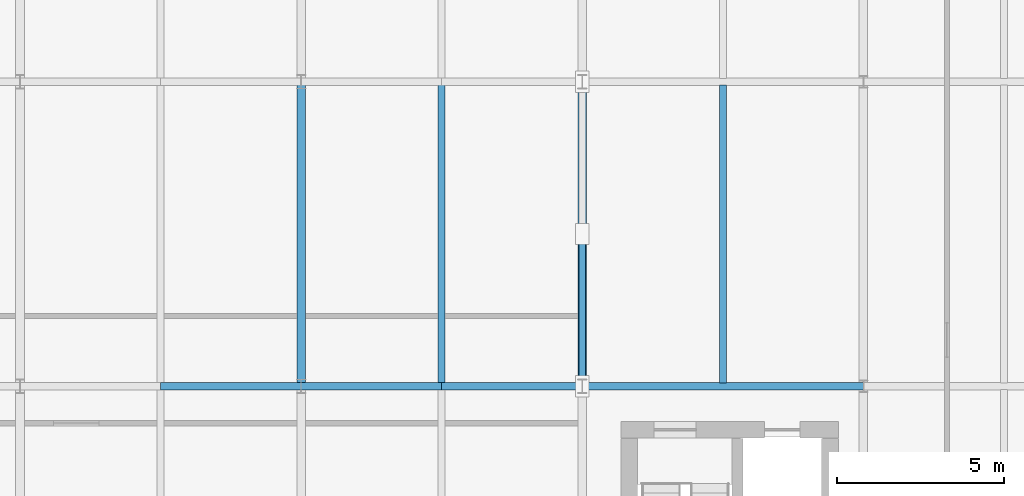
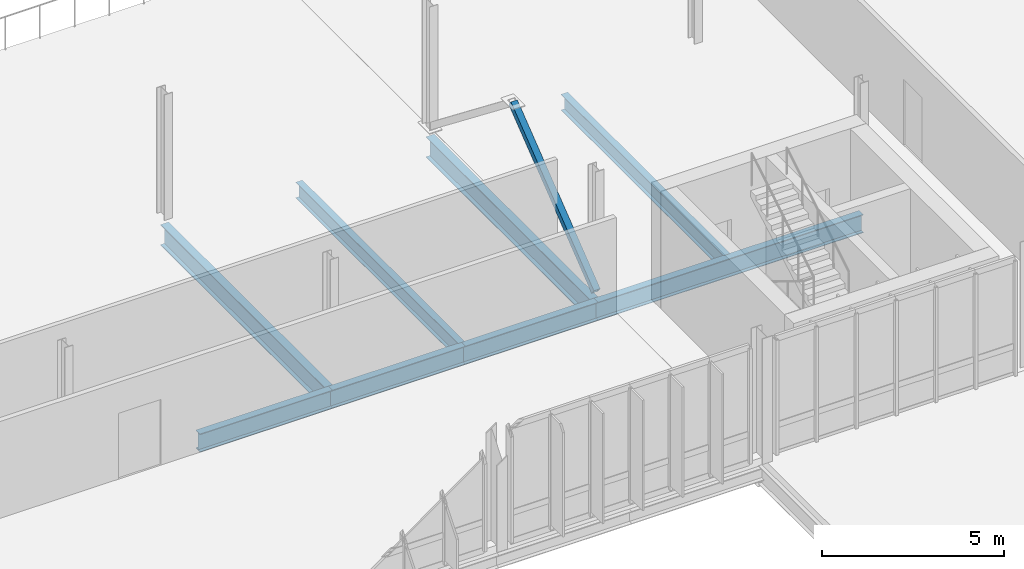
# One storey, part 62 of 107: 8 beams, 1 member.
"""IFC4 building model written with IfcOpenShell, lengths in metres."""

from ifc_helpers import new_model, si_unit, derived_unit, direction, frame, origin, origin_2d, place, context, subcontext, project, spatial, hollow_rectangle, i_section, extrude, material, material_profile, profile_set, type_object, element, save


model = new_model("IFC4")

# Units and contexts
model_context = context("Model", 3, precision=1e-05, world=origin(), true_north=direction((0.0, 1.0)))
body_context = subcontext(model_context, "Body", "Model", "MODEL_VIEW")
ifc_project = project(units=[si_unit("LENGTHUNIT", "METRE"), si_unit("AREAUNIT", "SQUARE_METRE"), si_unit("VOLUMEUNIT", "CUBIC_METRE"), si_unit("PLANEANGLEUNIT", "RADIAN"), si_unit("MASSUNIT", "GRAM", prefix="KILO"), derived_unit("THERMALTRANSMITTANCEUNIT", [(si_unit("MASSUNIT", "GRAM", prefix="KILO"), 1), (si_unit("TIMEUNIT", "SECOND"), -3), (si_unit("THERMODYNAMICTEMPERATUREUNIT", "KELVIN"), -1)])], contexts=[model_context])

# Site, building, storey
site_placement = place(None, origin())
site = spatial("IfcSite", under=ifc_project, at=site_placement, CompositionType="ELEMENT")
building_placement = place(site_placement, origin())
building = spatial("IfcBuilding", under=site, at=building_placement, Name="Makaiwela Harbour Ferry Terminal", CompositionType="ELEMENT")
storey_placement = place(building_placement, frame((0.0, 0.0, 9.60009765625)))
storey = spatial("IfcBuildingStorey", under=building, at=storey_placement, Name="L02", CompositionType="ELEMENT", Elevation=9.60009765625)

# Beams
ifc_material_1 = material(Name="Steel ASTM A992 Grade 50", Category="steel")
ifc_material_profile_1 = material_profile(ifc_material_1, i_section(OverallWidth=0.2099609375, OverallDepth=0.537109375, WebThickness=0.010986328125, FlangeThickness=0.017333984375, at=origin_2d()), Name="W21X68")
ifc_profile_set_1 = profile_set([ifc_material_profile_1], Name="Steel ASTM A992 Grade 50")
beam_type_1 = type_object("IfcBeamType", Name="STR-BM-W21X68", PredefinedType="BEAM", material=ifc_profile_set_1)
for number, where, z_axis, x_axis, name in (
    (1, (134.39990234375, 58.596435546875, -0.528564453125), (0.0, 1.0, 0.0), (-1.0, 0.0, 0.0), "Secondary floor beam 1519"),
    (2, (142.800048828125, 58.596435546875, -0.528564453125), (0.0, 1.0, 0.0), (-1.0, 0.0, 0.0), "Secondary floor beam 1527"),
):
    element("IfcBeam", number, at=place(storey_placement, frame(where, z_axis=z_axis, x_axis=x_axis)), inside=storey, type_object=beam_type_1, Name=name, PredefinedType="BEAM", context=body_context, shape_type="SweptSolid", body=[
        extrude(i_section(OverallWidth=0.2099609375, OverallDepth=0.537109375, WebThickness=0.010986328125, FlangeThickness=0.017333984375, at=origin_2d()), origin(), (0.0, 0.0, 1.0), 8.906982421875),
    ])

# Member
ifc_material_2 = material(Name="Steel ASTM A500 Grade C", Category="steel")
ifc_material_profile_2 = material_profile(ifc_material_2, hollow_rectangle(XDim=0.202880859375, YDim=0.202880859375, WallThickness=0.01171875, at=origin_2d()), Name="HSS8X8X1/2")
ifc_profile_set_2 = profile_set([ifc_material_profile_2], Name="Steel ASTM A500 Grade C")
member_type = type_object("IfcMemberType", Name="STR-BRC-HSS8", PredefinedType="BRACE", material=ifc_profile_set_2)
member_placement = place(storey_placement, frame((138.60009765625, 58.5, 0.0498046875), z_axis=(0.0, 0.787289229422, 0.6165838704), x_axis=(-1.0, 0.0, 0.0)))
element("IfcMember", 3, at=member_placement, inside=storey, type_object=member_type, Name="Lateral chevron brace 8A", PredefinedType="BRACE", context=body_context, shape_type="SweptSolid", body=[
    extrude(hollow_rectangle(XDim=0.202880859375, YDim=0.202880859375, WallThickness=0.01171875, at=origin_2d()), origin(), (0.0, 0.0, 1.0), 5.779296875),
])

# Beams
ifc_material_profile_3 = material_profile(ifc_material_1, i_section(OverallWidth=0.22900390625, OverallDepth=0.612060546875, WebThickness=0.011962890625, FlangeThickness=0.01953125, at=origin_2d()), Name="W24X84")
ifc_profile_set_3 = profile_set([ifc_material_profile_3], Name="Steel ASTM A992 Grade 50")
beam_type_2 = type_object("IfcBeamType", Name="STR-GRD-W24X84", PredefinedType="USERDEFINED", material=ifc_profile_set_3)
for number, where, z_axis, x_axis, name in (
    (4, (126.0, 58.5, -0.566162109375), (1.0, 0.0, 0.0), (0.0, 1.0, 0.0), "Primary X girder 1304"),
    (5, (130.199951171875, 58.5, -0.566162109375), (1.0, 0.0, 0.0), (0.0, 1.0, 0.0), "Primary X girder 1305"),
):
    element("IfcBeam", number, at=place(storey_placement, frame(where, z_axis=z_axis, x_axis=x_axis)), inside=storey, type_object=beam_type_2, Name=name, ObjectType="GIRDER", PredefinedType="USERDEFINED", context=body_context, shape_type="SweptSolid", body=[
        extrude(i_section(OverallWidth=0.22900390625, OverallDepth=0.612060546875, WebThickness=0.011962890625, FlangeThickness=0.01953125, at=origin_2d()), origin(), (0.0, 0.0, 1.0), 4.199951171875),
    ])
beam_1_placement = place(storey_placement, frame((134.39990234375, 58.5, -0.566162109375), z_axis=(1.0, 0.0, 0.0), x_axis=(0.0, 1.0, 0.0)))
element("IfcBeam", 6, at=beam_1_placement, inside=storey, type_object=beam_type_2, Name="Primary X girder 1306", ObjectType="GIRDER", PredefinedType="USERDEFINED", context=body_context, shape_type="SweptSolid", body=[
    extrude(i_section(OverallWidth=0.22900390625, OverallDepth=0.612060546875, WebThickness=0.011962890625, FlangeThickness=0.01953125, at=origin_2d()), origin(), (0.0, 0.0, 1.0), 4.2001953125),
])
beam_2_placement = place(storey_placement, frame((138.60009765625, 58.5, -0.566162109375), z_axis=(1.0, 0.0, 0.0), x_axis=(0.0, 1.0, 0.0)))
element("IfcBeam", 7, at=beam_2_placement, inside=storey, type_object=beam_type_2, Name="Primary X girder 1307", ObjectType="GIRDER", PredefinedType="USERDEFINED", context=body_context, shape_type="SweptSolid", body=[
    extrude(i_section(OverallWidth=0.22900390625, OverallDepth=0.612060546875, WebThickness=0.011962890625, FlangeThickness=0.01953125, at=origin_2d()), origin(), (0.0, 0.0, 1.0), 8.39990234375),
])
ifc_material_profile_4 = material_profile(ifc_material_1, i_section(OverallWidth=0.256103515625, OverallDepth=0.693115234375, WebThickness=0.014404296875, FlangeThickness=0.023681640625, at=origin_2d()), Name="W27X114")
ifc_profile_set_4 = profile_set([ifc_material_profile_4], Name="Steel ASTM A992 Grade 50")
beam_type_3 = type_object("IfcBeamType", Name="STR-GRD-W27X114", PredefinedType="USERDEFINED", material=ifc_profile_set_4)
for number, where, z_axis, x_axis, name in (
    (8, (130.199951171875, 58.5, -0.606689453125), (0.0, 1.0, 0.0), (-1.0, 0.0, 0.0), "Primary Y girder 1417"),
    (9, (138.60009765625, 58.5, -0.606689453125), (0.0, 1.0, 0.0), (-1.0, 0.0, 0.0), "Primary Y girder 1426"),
):
    element("IfcBeam", number, at=place(storey_placement, frame(where, z_axis=z_axis, x_axis=x_axis)), inside=storey, type_object=beam_type_3, Name=name, ObjectType="GIRDER", PredefinedType="USERDEFINED", context=body_context, shape_type="SweptSolid", body=[
        extrude(i_section(OverallWidth=0.256103515625, OverallDepth=0.693115234375, WebThickness=0.014404296875, FlangeThickness=0.023681640625, at=origin_2d()), origin(), (0.0, 0.0, 1.0), 9.10009765625),
    ])

save(model, "model.ifc")
